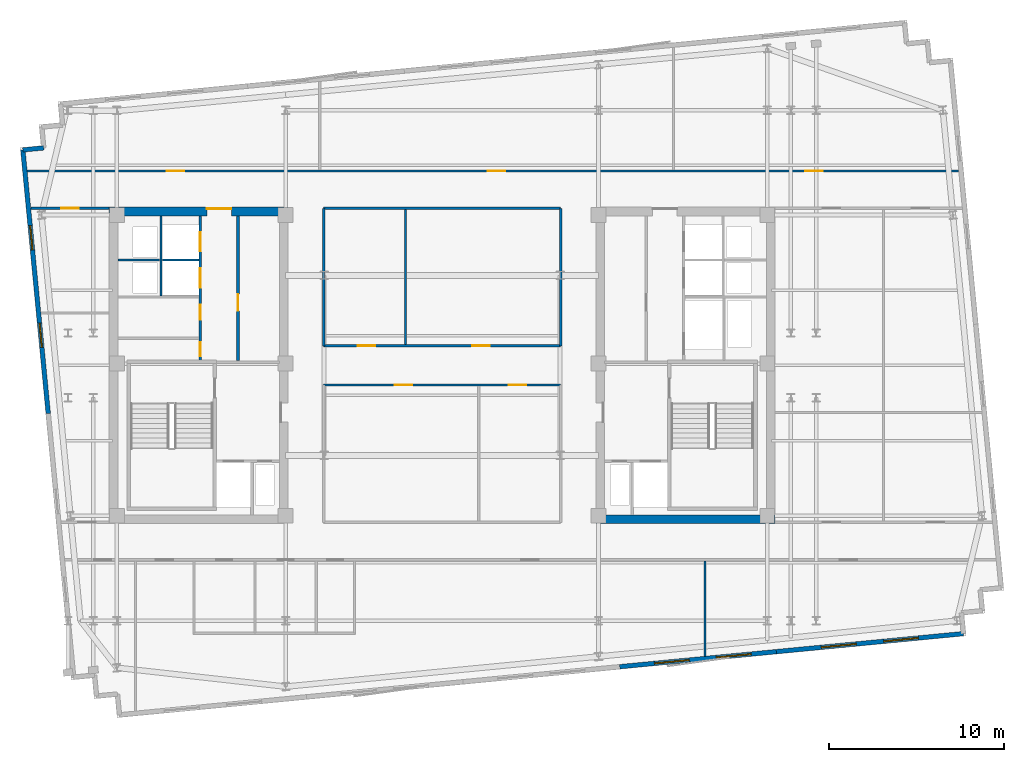
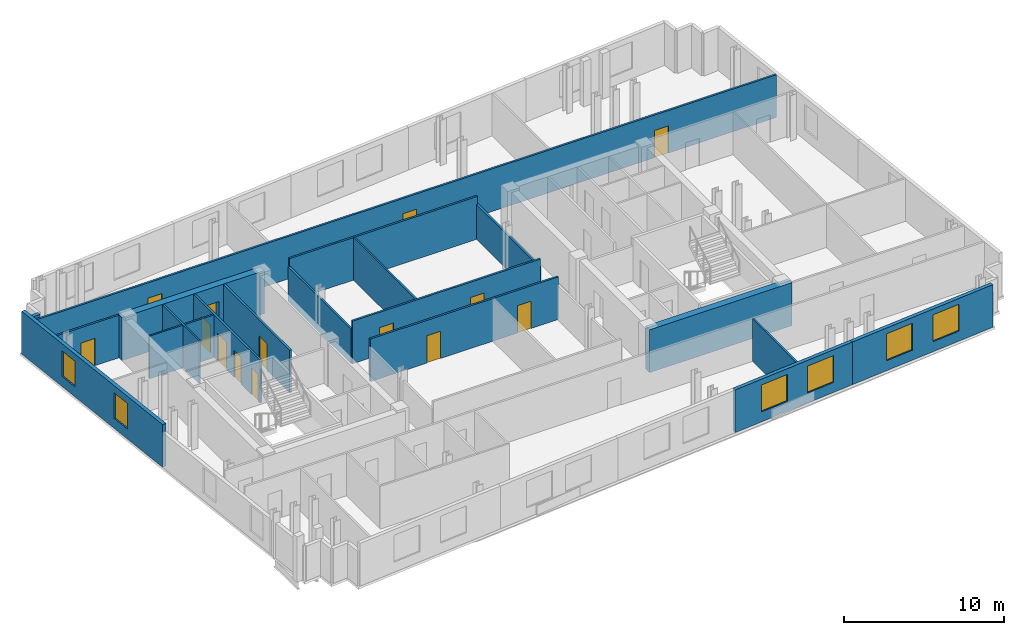
# One storey, part 4 of 8: 20 walls, 14 doors, 6 windows, 20 openings.
"""IFC4 building model written with IfcOpenShell, lengths in metres."""

from ifc_helpers import new_model, si_unit, direction, frame, frame_2d, origin, place, context, subcontext, project, spatial, rectangle, extrude, material, layer, layer_set, type_object, element, fill, save


model = new_model("IFC4")

# Units and contexts
model_context = context("Model", 3, precision=1e-05, world=origin(), true_north=direction((0.0, 1.0)))
body_context = subcontext(model_context, "Body", "Model", "MODEL_VIEW")
ifc_project = project(units=[si_unit("LENGTHUNIT", "METRE"), si_unit("AREAUNIT", "SQUARE_METRE"), si_unit("VOLUMEUNIT", "CUBIC_METRE"), si_unit("PLANEANGLEUNIT", "RADIAN"), si_unit("MASSUNIT", "GRAM", prefix="KILO")], contexts=[model_context])

# Site, building, storey
site_placement = place(None, origin())
site = spatial("IfcSite", under=ifc_project, at=site_placement, CompositionType="ELEMENT")
building_placement = place(site_placement, origin())
building = spatial("IfcBuilding", under=site, at=building_placement, Name="Velakula Bourse", CompositionType="ELEMENT")
storey_placement = place(building_placement, frame((0.0, 0.0, 258.60009765625)))
storey = spatial("IfcBuildingStorey", under=building, at=storey_placement, Name="L70", CompositionType="ELEMENT", Elevation=258.60009765625)

# Wall, opening, door
ifc_material_1 = material(Name="Concrete M50 (fck 50 MPa)", Category="concrete")
ifc_layer_1 = layer(ifc_material_1, 0.5, Name="Concrete M50 (fck 50 MPa)", Category="concrete")
ifc_layer_set_1 = layer_set([ifc_layer_1], Name="Concrete M50 (fck 50 MPa)")
wall_type_1 = type_object("IfcWallType", Name="WL-CORE-500", PredefinedType="SHEAR", material=ifc_layer_set_1)
wall_1_placement = place(storey_placement, frame((-19.050048828125, 8.800048828125, 0.0), z_axis=(0.0, 0.0, 1.0), x_axis=(1.0, 0.0, 0.0)))
wall_1 = element("IfcWall", 1, at=wall_1_placement, inside=storey, type_object=wall_type_1, Name="L70 Core W Shear Wall N", PredefinedType="SHEAR", context=body_context, shape_type="SweptSolid", body=[
    extrude(rectangle(XDim=10.25, YDim=0.5, at=frame_2d((5.125, 0.0))), origin(), (0.0, 0.0, 1.0), 3.27001953125),
])
opening_1_placement = place(wall_1_placement, frame((5.60009765625, 0.0, 0.0)))
opening_1 = element("IfcOpeningElement", 2, at=opening_1_placement, cuts=wall_1, Name="Opening D-LLW", PredefinedType="OPENING", context=body_context, shape_type="SweptSolid", body=[
    extrude(rectangle(XDim=1.39990234375, YDim=2.050048828125, at=frame_2d((0.699951171875, 1.02490234375))), frame((0.0, 0.260009765625, 0.0), z_axis=(0.0, -1.0, 0.0), x_axis=(1.0, 0.0, 0.0)), (0.0, 0.0, 1.0), 0.52001953125),
])
ifc_material_2 = material(Name="Fire-rated hardwood flush architectural door", Category="wood")
door_type_1 = type_object("IfcDoorType", Name="DR-DBL-FD60-1400", OperationType="DOUBLE_DOOR_SINGLE_SWING", PredefinedType="DOOR", material=ifc_material_2)
door_1_placement = place(opening_1_placement, origin())
door_1 = element("IfcDoor", 3, at=door_1_placement, inside=storey, type_object=door_type_1, Name="L70 Core W Lift Lobby Corridor Double Door", OperationType="DOUBLE_DOOR_SINGLE_SWING", OverallHeight=2.050048828125, OverallWidth=1.39990234375, PredefinedType="DOOR", context=body_context, shape_type="SweptSolid", body=[
    extrude(rectangle(XDim=1.39990234375, YDim=2.050048828125, at=frame_2d((0.699951171875, 1.02490234375))), frame((0.0, 0.19482421875, 0.0), z_axis=(0.0, -1.0, 0.0), x_axis=(1.0, 0.0, 0.0)), (0.0, 0.0, 1.0), 0.050048828125),
])
fill(opening_1, door_1)

# Wall
wall_2_placement = place(storey_placement, frame((8.800048828125, -8.800048828125, 0.0), z_axis=(0.0, 0.0, 1.0), x_axis=(1.0, 0.0, 0.0)))
element("IfcWall", 4, at=wall_2_placement, inside=storey, type_object=wall_type_1, Name="L70 Core E Shear Wall S", PredefinedType="SHEAR", context=body_context, shape_type="SweptSolid", body=[
    extrude(rectangle(XDim=10.25, YDim=0.5, at=frame_2d((5.125, 0.0))), origin(), (0.0, 0.0, 1.0), 3.27001953125),
])

# Wall, openings, windows
ifc_material_3 = material(Name="Buff kilned clay facing brick masonry", Category="masonry")
ifc_layer_2 = layer(ifc_material_3, 0.260009765625, Name="Buff kilned clay facing brick masonry", Category="masonry")
ifc_layer_set_2 = layer_set([ifc_layer_2], Name="Buff kilned clay facing brick masonry")
wall_type_2 = type_object("IfcWallType", Name="WL-EXT-BRK-260", PredefinedType="STANDARD", material=ifc_layer_set_2)
wall_3_placement = place(storey_placement, frame((19.119873046875, -16.375244140625, 0.0), z_axis=(0.0, 0.0, 1.0), x_axis=(-0.995396794462, -0.09583956164, 0.0)))
wall_3 = element("IfcWall", 5, at=wall_3_placement, inside=storey, type_object=wall_type_2, Name="L70 S Brick Spandrel Wall B4", PredefinedType="STANDARD", context=body_context, shape_type="SweptSolid", body=[
    extrude(rectangle(XDim=9.0, YDim=0.260009765625, at=frame_2d((4.5, 0.0))), origin(), (0.0, 0.0, 1.0), 3.25),
])
opening_2_placement = place(wall_3_placement, frame((1.449951171875, 0.0, 0.760009765625)))
opening_2 = element("IfcOpeningElement", 6, at=opening_2_placement, cuts=wall_3, Name="Opening W-05", PredefinedType="OPENING", context=body_context, shape_type="SweptSolid", body=[
    extrude(rectangle(XDim=2.0, YDim=2.050048828125, at=frame_2d((1.0, 1.02490234375))), frame((0.0, 0.139892578125, 0.0), z_axis=(0.0, -1.0, 0.0), x_axis=(1.0, 0.0, 0.0)), (0.0, 0.0, 1.0), 0.280029296875),
])
opening_3_placement = place(wall_3_placement, frame((5.0, 0.0, 0.760009765625)))
opening_3 = element("IfcOpeningElement", 7, at=opening_3_placement, cuts=wall_3, Name="Opening W-05", PredefinedType="OPENING", context=body_context, shape_type="SweptSolid", body=[
    extrude(rectangle(XDim=2.0, YDim=2.050048828125, at=frame_2d((1.0, 1.02490234375))), frame((0.0, 0.139892578125, 0.0), z_axis=(0.0, -1.0, 0.0), x_axis=(1.0, 0.0, 0.0)), (0.0, 0.0, 1.0), 0.280029296875),
])
ifc_material_4 = material(Name="Double-glazed solar-control Low-E glass", Category="glass")
window_type_1 = type_object("IfcWindowType", Name="WIN-TWR-2000x2200", PartitioningType="DOUBLE_PANEL_VERTICAL", PredefinedType="WINDOW", material=ifc_material_4)
window_1_placement = place(opening_2_placement, origin())
window_1 = element("IfcWindow", 8, at=window_1_placement, inside=storey, type_object=window_type_1, Name="L70 Deep-Set Recessed Window 1", OverallHeight=2.050048828125, OverallWidth=2.0, PartitioningType="DOUBLE_PANEL_VERTICAL", PredefinedType="WINDOW", context=body_context, shape_type="SweptSolid", body=[
    extrude(rectangle(XDim=2.0, YDim=2.050048828125, at=frame_2d((1.0, 1.02490234375))), frame((0.0, 0.030029296875, 0.0), z_axis=(0.0, -1.0, 0.0), x_axis=(1.0, 0.0, 0.0)), (0.0, 0.0, 1.0), 0.06005859375),
])
fill(opening_2, window_1)
window_2_placement = place(opening_3_placement, origin())
window_2 = element("IfcWindow", 9, at=window_2_placement, inside=storey, type_object=window_type_1, Name="L70 Deep-Set Recessed Window 2", OverallHeight=2.050048828125, OverallWidth=2.0, PartitioningType="DOUBLE_PANEL_VERTICAL", PredefinedType="WINDOW", context=body_context, shape_type="SweptSolid", body=[
    extrude(rectangle(XDim=2.0, YDim=2.050048828125, at=frame_2d((1.0, 1.02490234375))), frame((0.0, 0.030029296875, 0.0), z_axis=(0.0, -1.0, 0.0), x_axis=(1.0, 0.0, 0.0)), (0.0, 0.0, 1.0), 0.06005859375),
])
fill(opening_3, window_2)

wall_4_placement = place(storey_placement, frame((29.820556640625, -15.344970703125, 0.0), z_axis=(0.0, 0.0, 1.0), x_axis=(-0.995396954468, -0.095837899791, 0.0)))
wall_4 = element("IfcWall", 10, at=wall_4_placement, inside=storey, type_object=wall_type_2, Name="L70 S Brick Spandrel Wall B5", PredefinedType="STANDARD", context=body_context, shape_type="SweptSolid", body=[
    extrude(rectangle(XDim=10.750244140625, YDim=0.260009765625, at=frame_2d((5.375, 0.0))), origin(), (0.0, 0.0, 1.0), 3.25),
])
opening_4_placement = place(wall_4_placement, frame((2.583251953125, 0.0, 0.760009765625)))
opening_4 = element("IfcOpeningElement", 11, at=opening_4_placement, cuts=wall_4, Name="Opening W-05", PredefinedType="OPENING", context=body_context, shape_type="SweptSolid", body=[
    extrude(rectangle(XDim=2.0, YDim=2.050048828125, at=frame_2d((1.0, 1.02490234375))), frame((0.0, 0.139892578125, 0.0), z_axis=(0.0, -1.0, 0.0), x_axis=(1.0, 0.0, 0.0)), (0.0, 0.0, 1.0), 0.280029296875),
])
opening_5_placement = place(wall_4_placement, frame((6.166748046875, 0.0, 0.760009765625)))
opening_5 = element("IfcOpeningElement", 12, at=opening_5_placement, cuts=wall_4, Name="Opening W-05", PredefinedType="OPENING", context=body_context, shape_type="SweptSolid", body=[
    extrude(rectangle(XDim=2.0, YDim=2.050048828125, at=frame_2d((1.0, 1.02490234375))), frame((0.0, 0.139892578125, 0.0), z_axis=(0.0, -1.0, 0.0), x_axis=(1.0, 0.0, 0.0)), (0.0, 0.0, 1.0), 0.280029296875),
])
window_3_placement = place(opening_4_placement, origin())
window_3 = element("IfcWindow", 13, at=window_3_placement, inside=storey, type_object=window_type_1, Name="L70 Deep-Set Recessed Window 1", OverallHeight=2.050048828125, OverallWidth=2.0, PartitioningType="DOUBLE_PANEL_VERTICAL", PredefinedType="WINDOW", context=body_context, shape_type="SweptSolid", body=[
    extrude(rectangle(XDim=2.0, YDim=2.050048828125, at=frame_2d((1.0, 1.02490234375))), frame((0.0, 0.030029296875, 0.0), z_axis=(0.0, -1.0, 0.0), x_axis=(1.0, 0.0, 0.0)), (0.0, 0.0, 1.0), 0.06005859375),
])
fill(opening_4, window_3)
window_4_placement = place(opening_5_placement, origin())
window_4 = element("IfcWindow", 14, at=window_4_placement, inside=storey, type_object=window_type_1, Name="L70 Deep-Set Recessed Window 2", OverallHeight=2.050048828125, OverallWidth=2.0, PartitioningType="DOUBLE_PANEL_VERTICAL", PredefinedType="WINDOW", context=body_context, shape_type="SweptSolid", body=[
    extrude(rectangle(XDim=2.0, YDim=2.050048828125, at=frame_2d((1.0, 1.02490234375))), frame((0.0, 0.030029296875, 0.0), z_axis=(0.0, -1.0, 0.0), x_axis=(1.0, 0.0, 0.0)), (0.0, 0.0, 1.0), 0.06005859375),
])
fill(opening_5, window_4)

wall_5_placement = place(storey_placement, frame((-22.52734375, -2.75439453125, 0.0), z_axis=(0.0, 0.0, 1.0), x_axis=(-0.095850890337, 0.995395703638, 0.0)))
wall_5 = element("IfcWall", 15, at=wall_5_placement, inside=storey, type_object=wall_type_2, Name="L70 W Brick End Wall W2", PredefinedType="STANDARD", context=body_context, shape_type="SweptSolid", body=[
    extrude(rectangle(XDim=15.150146484375, YDim=0.260009765625, at=frame_2d((7.5751953125, 0.0))), origin(), (0.0, 0.0, 1.0), 3.25),
])
opening_6_placement = place(wall_5_placement, frame((3.800048828125, 0.0, 0.760009765625)))
opening_6 = element("IfcOpeningElement", 16, at=opening_6_placement, cuts=wall_5, Name="Opening W-03", PredefinedType="OPENING", context=body_context, shape_type="SweptSolid", body=[
    extrude(rectangle(XDim=1.39990234375, YDim=1.949951171875, at=frame_2d((0.699951171875, 0.97509765625))), frame((0.0, 0.139892578125, 0.0), z_axis=(0.0, -1.0, 0.0), x_axis=(1.0, 0.0, 0.0)), (0.0, 0.0, 1.0), 0.280029296875),
])
opening_7_placement = place(wall_5_placement, frame((9.39990234375, 0.0, 0.760009765625)))
opening_7 = element("IfcOpeningElement", 17, at=opening_7_placement, cuts=wall_5, Name="Opening W-03", PredefinedType="OPENING", context=body_context, shape_type="SweptSolid", body=[
    extrude(rectangle(XDim=1.39990234375, YDim=1.949951171875, at=frame_2d((0.699951171875, 0.97509765625))), frame((0.0, 0.139892578125, 0.0), z_axis=(0.0, -1.0, 0.0), x_axis=(1.0, 0.0, 0.0)), (0.0, 0.0, 1.0), 0.280029296875),
])
window_type_2 = type_object("IfcWindowType", Name="WIN-TWR-1400x2100", PartitioningType="SINGLE_PANEL", PredefinedType="WINDOW", material=ifc_material_4)
window_5_placement = place(opening_6_placement, origin())
window_5 = element("IfcWindow", 18, at=window_5_placement, inside=storey, type_object=window_type_2, Name="L70 Deep-Set Recessed Window 1", OverallHeight=1.949951171875, OverallWidth=1.39990234375, PartitioningType="SINGLE_PANEL", PredefinedType="WINDOW", context=body_context, shape_type="SweptSolid", body=[
    extrude(rectangle(XDim=1.39990234375, YDim=1.949951171875, at=frame_2d((0.699951171875, 0.97509765625))), frame((0.0, 0.030029296875, 0.0), z_axis=(0.0, -1.0, 0.0), x_axis=(1.0, 0.0, 0.0)), (0.0, 0.0, 1.0), 0.06005859375),
])
fill(opening_6, window_5)
window_6_placement = place(opening_7_placement, origin())
window_6 = element("IfcWindow", 19, at=window_6_placement, inside=storey, type_object=window_type_2, Name="L70 Deep-Set Recessed Window 2", OverallHeight=1.949951171875, OverallWidth=1.39990234375, PartitioningType="SINGLE_PANEL", PredefinedType="WINDOW", context=body_context, shape_type="SweptSolid", body=[
    extrude(rectangle(XDim=1.39990234375, YDim=1.949951171875, at=frame_2d((0.699951171875, 0.97509765625))), frame((0.0, 0.030029296875, 0.0), z_axis=(0.0, -1.0, 0.0), x_axis=(1.0, 0.0, 0.0)), (0.0, 0.0, 1.0), 0.06005859375),
])
fill(opening_7, window_6)

# Walls
wall_6_placement = place(storey_placement, frame((-22.784912109375, 12.44091796875, 0.0), z_axis=(0.0, 0.0, 1.0), x_axis=(-0.995398960025, -0.095817067274, 0.0)))
element("IfcWall", 20, at=wall_6_placement, inside=storey, type_object=wall_type_2, Name="L70 Serrated Corner Brick Wall NW-4", PredefinedType="STANDARD", context=body_context, shape_type="SweptSolid", body=[
    extrude(rectangle(XDim=1.2001953125, YDim=0.260009765625, at=frame_2d((0.60009765625, 0.0))), origin(), (0.0, 0.0, 1.0), 2.56494140625),
])
ifc_material_5 = material(Name="Fire-rated double-layer gypsum drywall partition", Category="gypsum")
ifc_layer_3 = layer(ifc_material_5, 0.1201171875, Name="Fire-rated double-layer gypsum drywall partition", Category="gypsum")
ifc_layer_set_3 = layer_set([ifc_layer_3], Name="Fire-rated double-layer gypsum drywall partition")
wall_type_3 = type_object("IfcWallType", Name="WL-PART-120", PredefinedType="STANDARD", material=ifc_layer_set_3)
wall_7_placement = place(storey_placement, frame((-18.550048828125, 6.030029296875, 0.0), z_axis=(0.0, 0.0, 1.0), x_axis=(1.0, 0.0, 0.0)))
element("IfcWall", 21, at=wall_7_placement, inside=storey, type_object=wall_type_3, Name="L70 Interior Partition WL-CRW-L70-RIS-MID", PredefinedType="STANDARD", context=body_context, shape_type="SweptSolid", body=[
    extrude(rectangle(XDim=2.400146484375, YDim=0.1201171875, at=frame_2d((1.2001953125, 0.0))), origin(), (0.0, 0.0, 1.0), 3.25),
])
wall_8_placement = place(storey_placement, frame((-16.074951171875, 3.97998046875, 0.0), z_axis=(0.0, 0.0, 1.0), x_axis=(0.0, 1.0, 0.0)))
element("IfcWall", 22, at=wall_8_placement, inside=storey, type_object=wall_type_3, Name="L70 Interior Partition WL-CRW-L70-RIS-F", PredefinedType="STANDARD", context=body_context, shape_type="SweptSolid", body=[
    extrude(rectangle(XDim=4.570068359375, YDim=0.1201171875, at=frame_2d((2.28515625, 0.0))), origin(), (0.0, 0.0, 1.0), 3.25),
])
wall_9_placement = place(storey_placement, frame((-16.0, 6.030029296875, 0.0), z_axis=(0.0, 0.0, 1.0), x_axis=(1.0, 0.0, 0.0)))
element("IfcWall", 23, at=wall_9_placement, inside=storey, type_object=wall_type_3, Name="L70 Interior Partition WL-CRW-L70-HI-DIV", PredefinedType="STANDARD", context=body_context, shape_type="SweptSolid", body=[
    extrude(rectangle(XDim=2.10009765625, YDim=0.1201171875, at=frame_2d((1.050048828125, 0.0))), origin(), (0.0, 0.0, 1.0), 3.25),
])
wall_10_placement = place(storey_placement, frame((15.041015625, -16.637451171875, 0.0), z_axis=(0.0, 0.0, 1.0), x_axis=(0.0, 1.0, 0.0)))
element("IfcWall", 24, at=wall_10_placement, inside=storey, type_object=wall_type_3, Name="L70 Interior Partition WL-INT-L70-SR-D6", PredefinedType="STANDARD", context=body_context, shape_type="SweptSolid", body=[
    extrude(rectangle(XDim=5.447509765625, YDim=0.1201171875, at=frame_2d((2.7236328125, 0.0))), origin(), (0.0, 0.0, 1.0), 3.25),
])

# Wall, openings, doors
ifc_layer_4 = layer(ifc_material_5, 0.139892578125, Name="Fire-rated double-layer gypsum drywall partition", Category="gypsum")
ifc_layer_set_4 = layer_set([ifc_layer_4], Name="Fire-rated double-layer gypsum drywall partition")
wall_type_4 = type_object("IfcWallType", Name="WL-PART-140", PredefinedType="STANDARD", material=ifc_layer_set_4)
wall_11_placement = place(storey_placement, frame((-23.732666015625, 11.1201171875, 0.0), z_axis=(0.0, 0.0, 1.0), x_axis=(1.0, 0.0, 0.0)))
wall_11 = element("IfcWall", 25, at=wall_11_placement, inside=storey, type_object=wall_type_4, Name="L70 Interior Partition WL-INT-L70-N-CORR", PredefinedType="STANDARD", context=body_context, shape_type="SweptSolid", body=[
    extrude(rectangle(XDim=53.285400390625, YDim=0.139892578125, at=frame_2d((26.642578125, 0.0))), origin(), (0.0, 0.0, 1.0), 3.25),
])
opening_8_placement = place(wall_11_placement, frame((7.994384765625, 0.0, 0.0)))
opening_8 = element("IfcOpeningElement", 26, at=opening_8_placement, cuts=wall_11, Name="Opening D-OF1", PredefinedType="OPENING", context=body_context, shape_type="SweptSolid", body=[
    extrude(rectangle(XDim=1.0, YDim=2.080078125, at=frame_2d((0.5, 1.0400390625))), frame((0.0, 0.079833984375, 0.0), z_axis=(0.0, -1.0, 0.0), x_axis=(1.0, 0.0, 0.0)), (0.0, 0.0, 1.0), 0.159912109375),
])
opening_9_placement = place(wall_11_placement, frame((26.355712890625, 0.0, 0.0)))
opening_9 = element("IfcOpeningElement", 27, at=opening_9_placement, cuts=wall_11, Name="Opening D-OF1", PredefinedType="OPENING", context=body_context, shape_type="SweptSolid", body=[
    extrude(rectangle(XDim=1.0, YDim=2.080078125, at=frame_2d((0.5, 1.0400390625))), frame((0.0, 0.079833984375, 0.0), z_axis=(0.0, -1.0, 0.0), x_axis=(1.0, 0.0, 0.0)), (0.0, 0.0, 1.0), 0.159912109375),
])
opening_10_placement = place(wall_11_placement, frame((44.50390625, 0.0, 0.0)))
opening_10 = element("IfcOpeningElement", 28, at=opening_10_placement, cuts=wall_11, Name="Opening D-OF1", PredefinedType="OPENING", context=body_context, shape_type="SweptSolid", body=[
    extrude(rectangle(XDim=1.0, YDim=2.080078125, at=frame_2d((0.5, 1.0400390625))), frame((0.0, 0.079833984375, 0.0), z_axis=(0.0, -1.0, 0.0), x_axis=(1.0, 0.0, 0.0)), (0.0, 0.0, 1.0), 0.159912109375),
])
door_type_2 = type_object("IfcDoorType", Name="DR-OFF-1000", OperationType="NOTDEFINED", PredefinedType="DOOR", material=ifc_material_2)
door_2_placement = place(opening_8_placement, origin())
door_2 = element("IfcDoor", 29, at=door_2_placement, inside=storey, type_object=door_type_2, Name="L70 Commodity Futures Workspace Door", OperationType="SINGLE_SWING_LEFT", OverallHeight=2.080078125, OverallWidth=1.0, PredefinedType="DOOR", context=body_context, shape_type="SweptSolid", body=[
    extrude(rectangle(XDim=1.0, YDim=2.080078125, at=frame_2d((0.5, 1.0400390625))), frame((0.0, 0.02490234375, 0.0), z_axis=(0.0, -1.0, 0.0), x_axis=(1.0, 0.0, 0.0)), (0.0, 0.0, 1.0), 0.050048828125),
])
fill(opening_8, door_2)
door_3_placement = place(opening_9_placement, origin())
door_3 = element("IfcDoor", 30, at=door_3_placement, inside=storey, type_object=door_type_2, Name="L70 Arbitration Conference Room Door", OperationType="SINGLE_SWING_RIGHT", OverallHeight=2.080078125, OverallWidth=1.0, PredefinedType="DOOR", context=body_context, shape_type="SweptSolid", body=[
    extrude(rectangle(XDim=1.0, YDim=2.080078125, at=frame_2d((0.5, 1.0400390625))), frame((0.0, 0.02490234375, 0.0), z_axis=(0.0, -1.0, 0.0), x_axis=(1.0, 0.0, 0.0)), (0.0, 0.0, 1.0), 0.050048828125),
])
fill(opening_9, door_3)
door_4_placement = place(opening_10_placement, origin())
door_4 = element("IfcDoor", 31, at=door_4_placement, inside=storey, type_object=door_type_2, Name="L70 Tea Room Kitchenette Door", OperationType="SINGLE_SWING_LEFT", OverallHeight=2.080078125, OverallWidth=1.0, PredefinedType="DOOR", context=body_context, shape_type="SweptSolid", body=[
    extrude(rectangle(XDim=1.0, YDim=2.080078125, at=frame_2d((0.5, 1.0400390625))), frame((0.0, 0.02490234375, 0.0), z_axis=(0.0, -1.0, 0.0), x_axis=(1.0, 0.0, 0.0)), (0.0, 0.0, 1.0), 0.050048828125),
])
fill(opening_10, door_4)

# Wall, opening, door
wall_12_placement = place(storey_placement, frame((-23.526611328125, 8.97998046875, 0.0), z_axis=(0.0, 0.0, 1.0), x_axis=(1.0, 0.0, 0.0)))
wall_12 = element("IfcWall", 32, at=wall_12_placement, inside=storey, type_object=wall_type_4, Name="L70 Interior Partition WL-INT-L70-W-NC", PredefinedType="STANDARD", context=body_context, shape_type="SweptSolid", body=[
    extrude(rectangle(XDim=4.4765625, YDim=0.139892578125, at=frame_2d((2.23828125, 0.0))), origin(), (0.0, 0.0, 1.0), 3.25),
])
opening_11_placement = place(wall_12_placement, frame((1.73828125, 0.0, 0.0)))
opening_11 = element("IfcOpeningElement", 33, at=opening_11_placement, cuts=wall_12, Name="Opening D-OF1", PredefinedType="OPENING", context=body_context, shape_type="SweptSolid", body=[
    extrude(rectangle(XDim=1.0, YDim=2.080078125, at=frame_2d((0.5, 1.0400390625))), frame((0.0, 0.079833984375, 0.0), z_axis=(0.0, -1.0, 0.0), x_axis=(1.0, 0.0, 0.0)), (0.0, 0.0, 1.0), 0.159912109375),
])
door_5_placement = place(opening_11_placement, origin())
door_5 = element("IfcDoor", 34, at=door_5_placement, inside=storey, type_object=door_type_2, Name="L70 Chief Risk Officer Chamber Door", OperationType="SINGLE_SWING_LEFT", OverallHeight=2.080078125, OverallWidth=1.0, PredefinedType="DOOR", context=body_context, shape_type="SweptSolid", body=[
    extrude(rectangle(XDim=1.0, YDim=2.080078125, at=frame_2d((0.5, 1.0400390625))), frame((0.0, 0.02490234375, 0.0), z_axis=(0.0, -1.0, 0.0), x_axis=(1.0, 0.0, 0.0)), (0.0, 0.0, 1.0), 0.050048828125),
])
fill(opening_11, door_5)

# Wall, openings, doors
wall_13_placement = place(storey_placement, frame((-6.780029296875, 1.1201171875, 0.0), z_axis=(0.0, 0.0, 1.0), x_axis=(1.0, 0.0, 0.0)))
wall_13 = element("IfcWall", 35, at=wall_13_placement, inside=storey, type_object=wall_type_4, Name="L70 Interior Partition WL-INT-L70-MN-IN", PredefinedType="STANDARD", context=body_context, shape_type="SweptSolid", body=[
    extrude(rectangle(XDim=13.56005859375, YDim=0.139892578125, at=frame_2d((6.780029296875, 0.0))), origin(), (0.0, 0.0, 1.0), 3.25),
])
opening_12_placement = place(wall_13_placement, frame((1.966064453125, 0.0, 0.0)))
opening_12 = element("IfcOpeningElement", 36, at=opening_12_placement, cuts=wall_13, Name="Opening D-OF1", PredefinedType="OPENING", context=body_context, shape_type="SweptSolid", body=[
    extrude(rectangle(XDim=1.0, YDim=2.080078125, at=frame_2d((0.5, 1.0400390625))), frame((0.0, 0.079833984375, 0.0), z_axis=(0.0, -1.0, 0.0), x_axis=(1.0, 0.0, 0.0)), (0.0, 0.0, 1.0), 0.159912109375),
])
opening_13_placement = place(wall_13_placement, frame((8.493896484375, 0.0, 0.0)))
opening_13 = element("IfcOpeningElement", 37, at=opening_13_placement, cuts=wall_13, Name="Opening D-OF1", PredefinedType="OPENING", context=body_context, shape_type="SweptSolid", body=[
    extrude(rectangle(XDim=1.0, YDim=2.080078125, at=frame_2d((0.5, 1.0400390625))), frame((0.0, 0.079833984375, 0.0), z_axis=(0.0, -1.0, 0.0), x_axis=(1.0, 0.0, 0.0)), (0.0, 0.0, 1.0), 0.159912109375),
])
door_6_placement = place(opening_12_placement, origin())
door_6 = element("IfcDoor", 38, at=door_6_placement, inside=storey, type_object=door_type_2, Name="L70 Legal Counsel Office Door", OperationType="SINGLE_SWING_LEFT", OverallHeight=2.080078125, OverallWidth=1.0, PredefinedType="DOOR", context=body_context, shape_type="SweptSolid", body=[
    extrude(rectangle(XDim=1.0, YDim=2.080078125, at=frame_2d((0.5, 1.0400390625))), frame((0.0, 0.02490234375, 0.0), z_axis=(0.0, -1.0, 0.0), x_axis=(1.0, 0.0, 0.0)), (0.0, 0.0, 1.0), 0.050048828125),
])
fill(opening_12, door_6)
door_7_placement = place(opening_13_placement, origin())
door_7 = element("IfcDoor", 39, at=door_7_placement, inside=storey, type_object=door_type_2, Name="L70 Issuer Relations Office Door", OperationType="SINGLE_SWING_RIGHT", OverallHeight=2.080078125, OverallWidth=1.0, PredefinedType="DOOR", context=body_context, shape_type="SweptSolid", body=[
    extrude(rectangle(XDim=1.0, YDim=2.080078125, at=frame_2d((0.5, 1.0400390625))), frame((0.0, 0.02490234375, 0.0), z_axis=(0.0, -1.0, 0.0), x_axis=(1.0, 0.0, 0.0)), (0.0, 0.0, 1.0), 0.050048828125),
])
fill(opening_13, door_7)

# Walls
wall_14_placement = place(storey_placement, frame((-6.780029296875, 8.97998046875, 0.0), z_axis=(0.0, 0.0, 1.0), x_axis=(1.0, 0.0, 0.0)))
element("IfcWall", 40, at=wall_14_placement, inside=storey, type_object=wall_type_4, Name="L70 Interior Partition WL-INT-L70-MN-OUT", PredefinedType="STANDARD", context=body_context, shape_type="SweptSolid", body=[
    extrude(rectangle(XDim=13.56005859375, YDim=0.139892578125, at=frame_2d((6.780029296875, 0.0))), origin(), (0.0, 0.0, 1.0), 3.25),
])
for number, where, z_axis, x_axis, name in (
    (41, (-6.780029296875, 1.1201171875, 0.0), (0.0, 0.0, 1.0), (0.0, 1.0, 0.0), "L70 Interior Partition WL-INT-L70-MN-W"),
    (42, (6.780029296875, 1.1201171875, 0.0), (0.0, 0.0, 1.0), (0.0, 1.0, 0.0), "L70 Interior Partition WL-INT-L70-MN-E"),
):
    element("IfcWall", number, at=place(storey_placement, frame(where, z_axis=z_axis, x_axis=x_axis)), inside=storey, type_object=wall_type_4, Name=name, PredefinedType="STANDARD", context=body_context, shape_type="SweptSolid", body=[
        extrude(rectangle(XDim=7.85986328125, YDim=0.139892578125, at=frame_2d((3.929931640625, 0.0))), origin(), (0.0, 0.0, 1.0), 2.64501953125),
    ])
wall_15_placement = place(storey_placement, frame((-2.10009765625, 1.18994140625, 0.0), z_axis=(0.0, 0.0, 1.0), x_axis=(0.0, 1.0, 0.0)))
element("IfcWall", 43, at=wall_15_placement, inside=storey, type_object=wall_type_4, Name="L70 Interior Partition WL-INT-L70-MN-V1", PredefinedType="STANDARD", context=body_context, shape_type="SweptSolid", body=[
    extrude(rectangle(XDim=7.719970703125, YDim=0.1201171875, at=frame_2d((3.85986328125, 0.0))), origin(), (0.0, 0.0, 1.0), 3.25),
])

# Wall, openings, doors
wall_16_placement = place(storey_placement, frame((-6.780029296875, -1.1201171875, 0.0), z_axis=(0.0, 0.0, 1.0), x_axis=(1.0, 0.0, 0.0)))
wall_16 = element("IfcWall", 44, at=wall_16_placement, inside=storey, type_object=wall_type_4, Name="L70 Interior Partition WL-INT-L70-MS-IN", PredefinedType="STANDARD", context=body_context, shape_type="SweptSolid", body=[
    extrude(rectangle(XDim=13.56005859375, YDim=0.139892578125, at=frame_2d((6.780029296875, 0.0))), origin(), (0.0, 0.0, 1.0), 3.25),
])
opening_14_placement = place(wall_16_placement, frame((4.06591796875, 0.0, 0.0)))
opening_14 = element("IfcOpeningElement", 45, at=opening_14_placement, cuts=wall_16, Name="Opening D-OF1", PredefinedType="OPENING", context=body_context, shape_type="SweptSolid", body=[
    extrude(rectangle(XDim=1.0, YDim=2.080078125, at=frame_2d((0.5, 1.0400390625))), frame((0.0, 0.079833984375, 0.0), z_axis=(0.0, -1.0, 0.0), x_axis=(1.0, 0.0, 0.0)), (0.0, 0.0, 1.0), 0.159912109375),
])
opening_15_placement = place(wall_16_placement, frame((10.593994140625, 0.0, 0.0)))
opening_15 = element("IfcOpeningElement", 46, at=opening_15_placement, cuts=wall_16, Name="Opening D-OF1", PredefinedType="OPENING", context=body_context, shape_type="SweptSolid", body=[
    extrude(rectangle(XDim=1.0, YDim=2.080078125, at=frame_2d((0.5, 1.0400390625))), frame((0.0, 0.079833984375, 0.0), z_axis=(0.0, -1.0, 0.0), x_axis=(1.0, 0.0, 0.0)), (0.0, 0.0, 1.0), 0.159912109375),
])
door_8_placement = place(opening_14_placement, origin())
door_8 = element("IfcDoor", 47, at=door_8_placement, inside=storey, type_object=door_type_2, Name="L70 Chief Risk Officer Chamber Door", OperationType="SINGLE_SWING_LEFT", OverallHeight=2.080078125, OverallWidth=1.0, PredefinedType="DOOR", context=body_context, shape_type="SweptSolid", body=[
    extrude(rectangle(XDim=1.0, YDim=2.080078125, at=frame_2d((0.5, 1.0400390625))), frame((0.0, 0.02490234375, 0.0), z_axis=(0.0, -1.0, 0.0), x_axis=(1.0, 0.0, 0.0)), (0.0, 0.0, 1.0), 0.050048828125),
])
fill(opening_14, door_8)
door_9_placement = place(opening_15_placement, origin())
door_9 = element("IfcDoor", 48, at=door_9_placement, inside=storey, type_object=door_type_2, Name="L70 Company Secretary Office Door", OperationType="SINGLE_SWING_RIGHT", OverallHeight=2.080078125, OverallWidth=1.0, PredefinedType="DOOR", context=body_context, shape_type="SweptSolid", body=[
    extrude(rectangle(XDim=1.0, YDim=2.080078125, at=frame_2d((0.5, 1.0400390625))), frame((0.0, 0.02490234375, 0.0), z_axis=(0.0, -1.0, 0.0), x_axis=(1.0, 0.0, 0.0)), (0.0, 0.0, 1.0), 0.050048828125),
])
fill(opening_15, door_9)

# Wall, opening, door
ifc_material_6 = material(Name="Autoclaved aerated concrete blockwork masonry", Category="masonry")
ifc_layer_5 = layer(ifc_material_6, 0.14990234375, Name="Autoclaved aerated concrete blockwork masonry", Category="masonry")
ifc_layer_set_5 = layer_set([ifc_layer_5], Name="Autoclaved aerated concrete blockwork masonry")
wall_type_5 = type_object("IfcWallType", Name="WL-SHAFT-150", PredefinedType="STANDARD", material=ifc_layer_set_5)
wall_17_placement = place(storey_placement, frame((-11.675048828125, 0.27001953125, 0.0), z_axis=(0.0, 0.0, 1.0), x_axis=(0.0, 1.0, 0.0)))
wall_17 = element("IfcWall", 49, at=wall_17_placement, inside=storey, type_object=wall_type_5, Name="L70 Interior Partition WL-CRW-L70-BANK-F", PredefinedType="STANDARD", context=body_context, shape_type="SweptSolid", body=[
    extrude(rectangle(XDim=8.280029296875, YDim=0.14990234375, at=frame_2d((4.14013671875, 0.0))), origin(), (0.0, 0.0, 1.0), 3.25),
])
opening_16_placement = place(wall_17_placement, frame((2.85009765625, 0.0, 0.0)))
opening_16 = element("IfcOpeningElement", 50, at=opening_16_placement, cuts=wall_17, Name="Opening D-RC4", PredefinedType="OPENING", context=body_context, shape_type="SweptSolid", body=[
    extrude(rectangle(XDim=0.949951171875, YDim=2.050048828125, at=frame_2d((0.47509765625, 1.02490234375))), frame((0.0, 0.0849609375, 0.0), z_axis=(0.0, -1.0, 0.0), x_axis=(1.0, 0.0, 0.0)), (0.0, 0.0, 1.0), 0.169921875),
])
door_type_3 = type_object("IfcDoorType", Name="DR-FD60-950x2050", OperationType="NOTDEFINED", PredefinedType="DOOR", material=ifc_material_2)
door_10_placement = place(opening_16_placement, origin())
door_10 = element("IfcDoor", 51, at=door_10_placement, inside=storey, type_object=door_type_3, Name="L70 Reclaimed Multi-Bay Archive Room Door", OperationType="SINGLE_SWING_RIGHT", OverallHeight=2.050048828125, OverallWidth=0.949951171875, PredefinedType="DOOR", context=body_context, shape_type="SweptSolid", body=[
    extrude(rectangle(XDim=0.949951171875, YDim=2.050048828125, at=frame_2d((0.47509765625, 1.02490234375))), frame((0.0, 0.02490234375, 0.0), z_axis=(0.0, -1.0, 0.0), x_axis=(1.0, 0.0, 0.0)), (0.0, 0.0, 1.0), 0.050048828125),
])
fill(opening_16, door_10)

# Wall, openings, doors
wall_18_placement = place(storey_placement, frame((-13.824951171875, 0.27001953125, 0.0), z_axis=(0.0, 0.0, 1.0), x_axis=(0.0, 1.0, 0.0)))
wall_18 = element("IfcWall", 52, at=wall_18_placement, inside=storey, type_object=wall_type_5, Name="L70 Interior Partition WL-CRW-L70-OUT-F", PredefinedType="STANDARD", context=body_context, shape_type="SweptSolid", body=[
    extrude(rectangle(XDim=8.280029296875, YDim=0.14990234375, at=frame_2d((4.14013671875, 0.0))), origin(), (0.0, 0.0, 1.0), 3.25),
])
opening_17_placement = place(wall_18_placement, frame((4.175048828125, 0.0, 0.0)))
opening_17 = element("IfcOpeningElement", 53, at=opening_17_placement, cuts=wall_18, Name="Opening LD-P9", PredefinedType="OPENING", context=body_context, shape_type="SweptSolid", body=[
    extrude(rectangle(XDim=1.10009765625, YDim=2.10009765625, at=frame_2d((0.550048828125, 1.050048828125))), frame((0.0, 0.0849609375, 0.0), z_axis=(0.0, -1.0, 0.0), x_axis=(1.0, 0.0, 0.0)), (0.0, 0.0, 1.0), 0.169921875),
])
opening_18_placement = place(wall_18_placement, frame((6.2451171875, 0.0, 0.0)))
opening_18 = element("IfcOpeningElement", 54, at=opening_18_placement, cuts=wall_18, Name="Opening LD-P10", PredefinedType="OPENING", context=body_context, shape_type="SweptSolid", body=[
    extrude(rectangle(XDim=1.10009765625, YDim=2.10009765625, at=frame_2d((0.550048828125, 1.050048828125))), frame((0.0, 0.0849609375, 0.0), z_axis=(0.0, -1.0, 0.0), x_axis=(1.0, 0.0, 0.0)), (0.0, 0.0, 1.0), 0.169921875),
])
opening_19_placement = place(wall_18_placement, frame((0.25, 0.0, 0.0)))
opening_19 = element("IfcOpeningElement", 55, at=opening_19_placement, cuts=wall_18, Name="Opening D-CS1", PredefinedType="OPENING", context=body_context, shape_type="SweptSolid", body=[
    extrude(rectangle(XDim=0.800048828125, YDim=2.050048828125, at=frame_2d((0.39990234375, 1.02490234375))), frame((0.0, 0.0849609375, 0.0), z_axis=(0.0, -1.0, 0.0), x_axis=(1.0, 0.0, 0.0)), (0.0, 0.0, 1.0), 0.169921875),
])
opening_20_placement = place(wall_18_placement, frame((2.35009765625, 0.0, 0.0)))
opening_20 = element("IfcOpeningElement", 56, at=opening_20_placement, cuts=wall_18, Name="Opening D-CW1", PredefinedType="OPENING", context=body_context, shape_type="SweptSolid", body=[
    extrude(rectangle(XDim=0.85009765625, YDim=2.050048828125, at=frame_2d((0.425048828125, 1.02490234375))), frame((0.0, 0.0849609375, 0.0), z_axis=(0.0, -1.0, 0.0), x_axis=(1.0, 0.0, 0.0)), (0.0, 0.0, 1.0), 0.169921875),
])
door_type_4 = type_object("IfcDoorType", Name="DR-INT-850", OperationType="NOTDEFINED", PredefinedType="DOOR", material=ifc_material_2)
door_11_placement = place(opening_20_placement, origin())
door_11 = element("IfcDoor", 57, at=door_11_placement, inside=storey, type_object=door_type_4, Name="L70 Core Janitor Closet Door", OperationType="SINGLE_SWING_RIGHT", OverallHeight=2.050048828125, OverallWidth=0.85009765625, PredefinedType="DOOR", context=body_context, shape_type="SweptSolid", body=[
    extrude(rectangle(XDim=0.85009765625, YDim=2.050048828125, at=frame_2d((0.425048828125, 1.02490234375))), frame((0.0, 0.02490234375, 0.0), z_axis=(0.0, -1.0, 0.0), x_axis=(1.0, 0.0, 0.0)), (0.0, 0.0, 1.0), 0.050048828125),
])
fill(opening_20, door_11)
ifc_material_7 = material(Name="Galvanised painted hollow steel fire door", Category="steel")
door_type_5 = type_object("IfcDoorType", Name="DR-RISER-800x2050", OperationType="NOTDEFINED", PredefinedType="DOOR", material=ifc_material_7)
door_12_placement = place(opening_19_placement, origin())
door_12 = element("IfcDoor", 58, at=door_12_placement, inside=storey, type_object=door_type_5, Name="L70 Core Cleaner Store Door", OperationType="SINGLE_SWING_LEFT", OverallHeight=2.050048828125, OverallWidth=0.800048828125, PredefinedType="DOOR", context=body_context, shape_type="SweptSolid", body=[
    extrude(rectangle(XDim=0.800048828125, YDim=2.050048828125, at=frame_2d((0.39990234375, 1.02490234375))), frame((0.0, 0.02490234375, 0.0), z_axis=(0.0, -1.0, 0.0), x_axis=(1.0, 0.0, 0.0)), (0.0, 0.0, 1.0), 0.050048828125),
])
fill(opening_19, door_12)
ifc_material_8 = material(Name="Brushed grade 316 stainless steel", Category="steel")
door_type_6 = type_object("IfcDoorType", Name="DR-SLIDE-LD-1100", OperationType="DOUBLE_DOOR_SLIDING", PredefinedType="DOOR", material=ifc_material_8)
door_13_placement = place(opening_17_placement, origin())
door_13 = element("IfcDoor", 59, at=door_13_placement, inside=storey, type_object=door_type_6, Name="L70 Passenger Lift P9 Sliding Landing Door", OperationType="DOUBLE_DOOR_SLIDING", OverallHeight=2.10009765625, OverallWidth=1.10009765625, PredefinedType="DOOR", context=body_context, shape_type="SweptSolid", body=[
    extrude(rectangle(XDim=1.10009765625, YDim=2.10009765625, at=frame_2d((0.550048828125, 1.050048828125))), frame((0.0, 0.02490234375, 0.0), z_axis=(0.0, -1.0, 0.0), x_axis=(1.0, 0.0, 0.0)), (0.0, 0.0, 1.0), 0.050048828125),
])
fill(opening_17, door_13)
door_14_placement = place(opening_18_placement, origin())
door_14 = element("IfcDoor", 60, at=door_14_placement, inside=storey, type_object=door_type_6, Name="L70 Passenger Lift P10 Sliding Landing Door", OperationType="DOUBLE_DOOR_SLIDING", OverallHeight=2.10009765625, OverallWidth=1.10009765625, PredefinedType="DOOR", context=body_context, shape_type="SweptSolid", body=[
    extrude(rectangle(XDim=1.10009765625, YDim=2.10009765625, at=frame_2d((0.550048828125, 1.050048828125))), frame((0.0, 0.02490234375, 0.0), z_axis=(0.0, -1.0, 0.0), x_axis=(1.0, 0.0, 0.0)), (0.0, 0.0, 1.0), 0.050048828125),
])
fill(opening_18, door_14)

save(model, "model.ifc")
